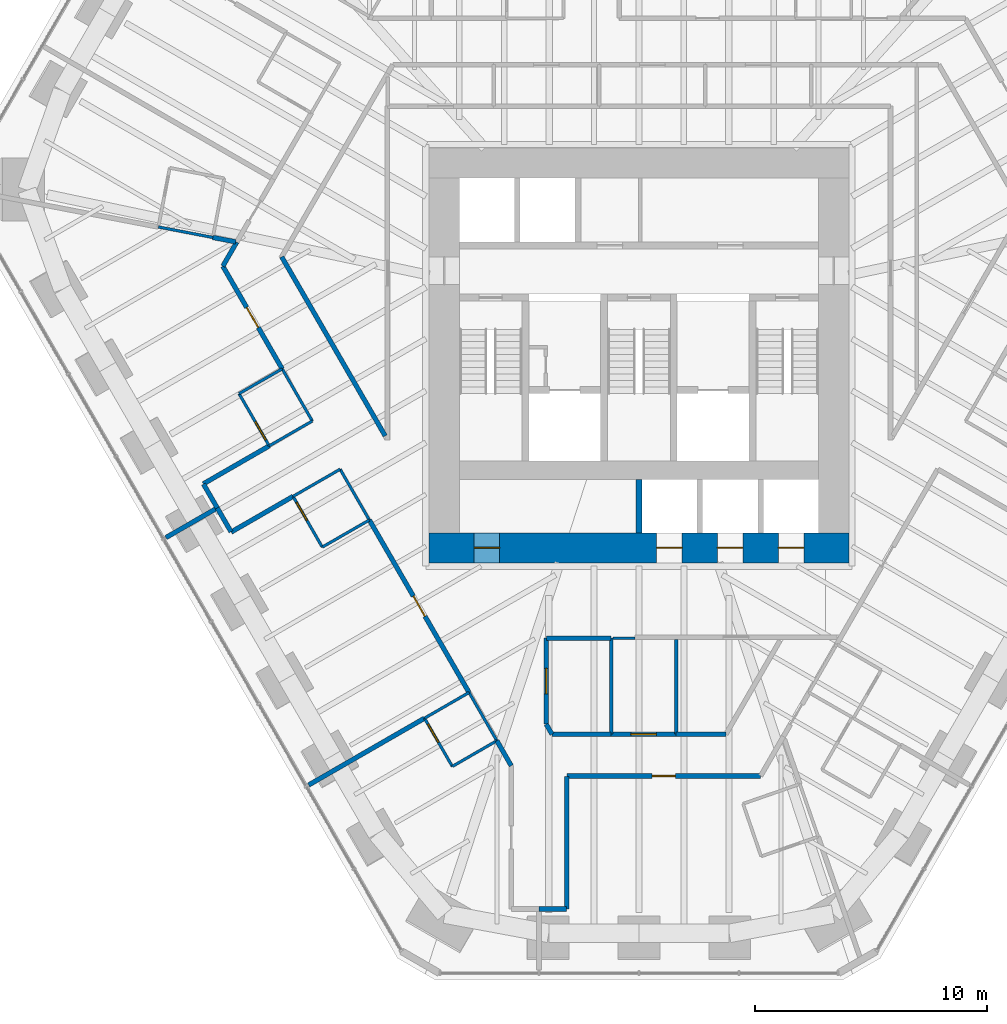
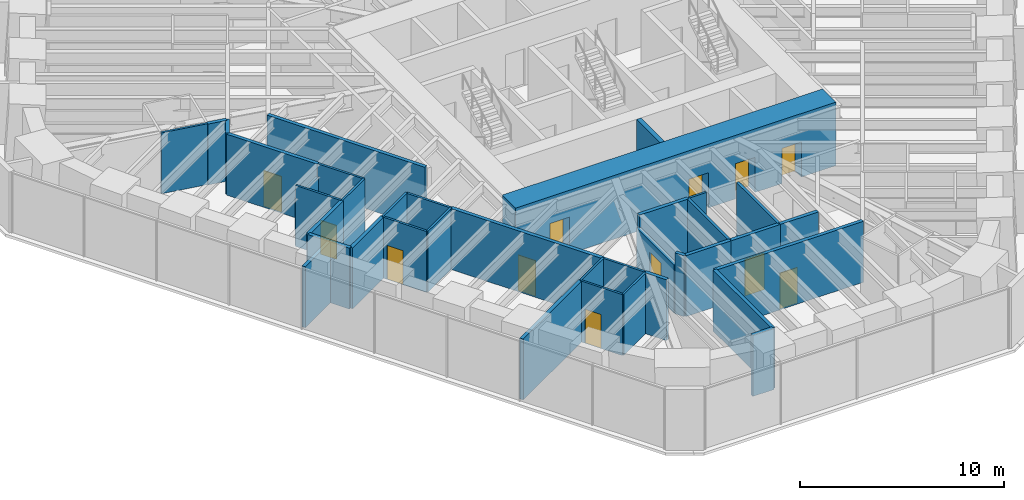
# One storey, part 11 of 18: 39 walls, 12 doors, 12 openings.
"""IFC4 building model written with IfcOpenShell, lengths in metres."""

import ifcopenshell
import ifcopenshell.guid

model = None  # the IFC model being written
_history = None  # IfcOwnerHistory: only IFC2X3 demands one
_inside = {}  # id of a spatial element -> (the spatial element, [elements in it])
_under = {}  # id of a project, library or spatial element -> (it, [spatial elements below it])
_declared = {}  # id of a project -> (the project, [libraries it declares])
_typed = {}  # id of a type object -> (the type object, [elements of that type])
_made_of = {}  # id of a material, layer set ... -> (it, [elements and type objects made of it])


def new_model(schema):
    """Start an empty IFC model of exactly this schema.

    Asked for "IFC4X3", IfcOpenShell would pick the latest addendum, in which some entities
    have other attributes; the version numbers below select the first issue.
    IFC2X3 requires an IfcOwnerHistory on every rooted entity: one is made here for all.
    """
    global model, _history
    if schema == "IFC4X3":
        model = ifcopenshell.file(schema_version=(4, 3, 0, 0))
    else:
        model = ifcopenshell.file(schema=schema)
    _inside.clear()
    _under.clear()
    _declared.clear()
    _typed.clear()
    _made_of.clear()
    _history = None
    if model.schema == "IFC2X3":
        org = make("IfcOrganization", Name="unknown")
        user = make(
            "IfcPersonAndOrganization",
            ThePerson=make("IfcPerson", FamilyName="unknown"),
            TheOrganization=org,
        )
        app = make(
            "IfcApplication",
            ApplicationDeveloper=org,
            Version="unknown",
            ApplicationFullName="unknown",
            ApplicationIdentifier="unknown",
        )
        _history = make(
            "IfcOwnerHistory",
            OwningUser=user,
            OwningApplication=app,
            ChangeAction="ADDED",
            CreationDate=0,
        )
    return model


def make(cls, **values):
    """One entity of the class cls with the attributes given. An attribute that is None is left unset."""
    return model.create_entity(
        cls, **{name: value for name, value in values.items() if value is not None}
    )


def rooted(cls, **values):
    """An entity with a GlobalId (a new one), such as an element, a storey or a relation."""
    return make(cls, GlobalId=ifcopenshell.guid.new(), OwnerHistory=_history, **values)


def si_unit(unit_type, name, prefix=None):
    """IfcSIUnit, for example si_unit("LENGTHUNIT", "METRE", prefix="MILLI")."""
    return make("IfcSIUnit", UnitType=unit_type, Prefix=prefix, Name=name)


def assignment(units):
    """IfcUnitAssignment: the units of a project."""
    return None if units is None else make("IfcUnitAssignment", Units=units)


def point(xyz):
    """IfcCartesianPoint."""
    return None if xyz is None else make("IfcCartesianPoint", Coordinates=xyz)


def direction(xyz):
    """IfcDirection."""
    return None if xyz is None else make("IfcDirection", DirectionRatios=xyz)


def frame(location, z_axis=None, x_axis=None):
    """IfcAxis2Placement3D, a coordinate frame: its origin and axes. An axis left out is left unset."""
    return make(
        "IfcAxis2Placement3D",
        Location=point(location),
        Axis=direction(z_axis),
        RefDirection=direction(x_axis),
    )


def frame_2d(location, x_axis=None):
    """IfcAxis2Placement2D, a coordinate frame in the plane: its origin and x axis."""
    return make(
        "IfcAxis2Placement2D", Location=point(location), RefDirection=direction(x_axis)
    )


def origin():
    """The frame at (0, 0, 0) with its axes left unset."""
    return frame((0.0, 0.0, 0.0))


def place(relative_to, where):
    """IfcLocalPlacement: puts the frame where relative to a parent placement (None: the world)."""
    return make(
        "IfcLocalPlacement", PlacementRelTo=relative_to, RelativePlacement=where
    )


def context(
    kind, dimensions, precision=None, world=None, true_north=None, identifier=None
):
    """IfcGeometricRepresentationContext, for example the 3D "Model" context."""
    return make(
        "IfcGeometricRepresentationContext",
        ContextIdentifier=identifier,
        ContextType=kind,
        CoordinateSpaceDimension=dimensions,
        Precision=precision,
        WorldCoordinateSystem=world,
        TrueNorth=true_north,
    )


def subcontext(parent, identifier, kind, view, scale=None):
    """IfcGeometricRepresentationSubContext, for example "Body" below "Model"."""
    return make(
        "IfcGeometricRepresentationSubContext",
        ContextIdentifier=identifier,
        ContextType=kind,
        ParentContext=parent,
        TargetScale=scale,
        TargetView=view,
    )


def project(units=None, contexts=None):
    """IfcProject with its units and contexts."""
    return rooted(
        "IfcProject",
        Name="project",
        RepresentationContexts=contexts,
        UnitsInContext=assignment(units),
    )


def spatial(cls, under=None, at=None, **own):
    """A site, building, storey or space (cls), placed at a placement, below another one or the project."""
    s = rooted(cls, ObjectPlacement=at, **own)
    if under is not None:
        _under.setdefault(under.id(), (under, []))[1].append(s)
    return s


def profile(cls, at=None, kind="AREA", **sizes):
    """A parametric profile (cls). Its sizes go by their IFC names, for example OverallWidth=200.0."""
    return make(cls, ProfileType=kind, Position=at, **sizes)


def rectangle(**sizes):
    """IfcRectangleProfileDef."""
    return profile("IfcRectangleProfileDef", **sizes)


def extrude(swept, where, along, depth):
    """IfcExtrudedAreaSolid: the profile swept, set in the frame where, extruded along a direction by depth."""
    return make(
        "IfcExtrudedAreaSolid",
        SweptArea=swept,
        Position=where,
        ExtrudedDirection=direction(along),
        Depth=depth,
    )


def shape(context_of_items, identifier, shape_type, items):
    """IfcShapeRepresentation: the items that make up one representation, for example the "Body"."""
    return make(
        "IfcShapeRepresentation",
        ContextOfItems=context_of_items,
        RepresentationIdentifier=identifier,
        RepresentationType=shape_type,
        Items=items,
    )


def material(Name=None, Category=None):
    """IfcMaterial."""
    return make("IfcMaterial", Name=Name, Category=Category)


def layer(
    of_material, thickness, ventilated=None, Name=None, Category=None, Priority=None
):
    """IfcMaterialLayer: one layer of a wall or slab, of a material (None: an air gap)."""
    return make(
        "IfcMaterialLayer",
        Material=of_material,
        LayerThickness=thickness,
        IsVentilated=ventilated,
        Name=Name,
        Category=Category,
        Priority=Priority,
    )


def layer_set(layers, Name=None):
    """IfcMaterialLayerSet."""
    return make("IfcMaterialLayerSet", MaterialLayers=layers, LayerSetName=Name)


def made_of(thing, what):
    """Note that an element or type object is made of a material, layer set ...; save() writes the relation."""
    if what is not None:
        _made_of.setdefault(what.id(), (what, []))[1].append(thing)
    return thing


def type_object(cls, material=None, **own):
    """A type object (cls), such as IfcWallType, which elements share."""
    return made_of(rooted(cls, **own), material)


def element(
    cls,
    number,
    at=None,
    inside=None,
    cuts=None,
    type_object=None,
    material=None,
    context=None,
    identifier="Body",
    shape_type=None,
    held_by="IfcProductDefinitionShape",
    body=None,
    shapes=None,
    **own,
):
    """One element of the class cls, such as IfcWall. Its Tag is "e" and its number.

    at: its placement. inside: the storey or other place that contains it. cuts: it is an
    opening in that element (IfcRelVoidsElement). A single representation is given by context,
    identifier, shape_type and body (its items); several are given by shapes. held_by: the class
    of the entity that holds the representations. save() writes the other relations.
    """
    e = rooted(cls, Tag="e%d" % number, ObjectPlacement=at, **own)
    if body is not None:
        shapes = [shape(context, identifier, shape_type, body)]
    if shapes is not None:
        e.Representation = make(held_by, Representations=shapes)
    if inside is not None:
        _inside.setdefault(inside.id(), (inside, []))[1].append(e)
    if cuts is not None:
        rooted(
            "IfcRelVoidsElement", RelatingBuildingElement=cuts, RelatedOpeningElement=e
        )
    if type_object is not None:
        _typed.setdefault(type_object.id(), (type_object, []))[1].append(e)
    return made_of(e, material)


def fill(opening, filler):
    """IfcRelFillsElement: the door or window that sits in an opening."""
    return rooted(
        "IfcRelFillsElement",
        RelatingOpeningElement=opening,
        RelatedBuildingElement=filler,
    )


def aggregate(whole, parts):
    """IfcRelAggregates: a whole, such as a stair, and the parts it consists of."""
    return rooted("IfcRelAggregates", RelatingObject=whole, RelatedObjects=parts)


def save(model, path):
    """Write the relations noted so far, then the file.

    IfcRelAggregates (storeys below a building ...), IfcRelContainedInSpatialStructure (elements
    in a storey), IfcRelDefinesByType, IfcRelAssociatesMaterial and IfcRelDeclares: one each for
    every whole, place, type object, material and project.
    """
    for whole, parts in _under.values():
        aggregate(whole, parts)
    for where, things in _inside.values():
        rooted(
            "IfcRelContainedInSpatialStructure",
            RelatedElements=things,
            RelatingStructure=where,
        )
    for kind, things in _typed.values():
        rooted("IfcRelDefinesByType", RelatedObjects=things, RelatingType=kind)
    for what, things in _made_of.values():
        rooted("IfcRelAssociatesMaterial", RelatedObjects=things, RelatingMaterial=what)
    for by, libraries in _declared.values():
        rooted("IfcRelDeclares", RelatingContext=by, RelatedDefinitions=libraries)
    model.write(path)


model = new_model("IFC4")

# Units and contexts
model_context = context("Model", 3, precision=1e-05, world=origin(), true_north=direction((0.0, 1.0)))
body_context = subcontext(model_context, "Body", "Model", "MODEL_VIEW")
ifc_project = project(units=[si_unit("LENGTHUNIT", "METRE"), si_unit("AREAUNIT", "SQUARE_METRE"), si_unit("VOLUMEUNIT", "CUBIC_METRE"), si_unit("PLANEANGLEUNIT", "RADIAN"), si_unit("MASSUNIT", "GRAM", prefix="KILO")], contexts=[model_context])

# Site, building, storey
site_placement = place(None, origin())
site = spatial("IfcSite", under=ifc_project, at=site_placement, CompositionType="ELEMENT")
building_placement = place(site_placement, origin())
building = spatial("IfcBuilding", under=site, at=building_placement, Name="Sandreach Pilgrim Tower", CompositionType="ELEMENT")
storey_placement = place(building_placement, frame((0.0, 0.0, 153.800048828125)))
storey = spatial("IfcBuildingStorey", under=building, at=storey_placement, Name="L38", CompositionType="ELEMENT", Elevation=153.800048828125)

# Walls
ifc_material_1 = material(Name="Gypsum board on steel studs", Category="steel")
ifc_layer_1 = layer(ifc_material_1, 0.14990234375)
ifc_layer_set_1 = layer_set([ifc_layer_1], Name="Back of house wall 150")
wall_type_1 = type_object("IfcWallType", Name="Back of house wall 150", PredefinedType="PARTITIONING", material=ifc_layer_set_1)
wall_1_placement = place(storey_placement, frame((-1.199951171875, -13.75, 0.0), z_axis=(0.0, 0.0, 1.0), x_axis=(0.0, -1.0, 0.0)))
element("IfcWall", 1, at=wall_1_placement, inside=storey, type_object=wall_type_1, Name="Back of house wall L38-078", PredefinedType="PARTITIONING", context=body_context, shape_type="SweptSolid", body=[
    extrude(rectangle(XDim=4.139892578125, YDim=0.14990234375, at=frame_2d((2.06982421875, 0.0))), origin(), (0.0, 0.0, 1.0), 3.639892578125),
])
wall_2_placement = place(storey_placement, frame((1.60009765625, -13.800048828125, 0.0), z_axis=(0.0, 0.0, 1.0), x_axis=(0.0, -1.0, 0.0)))
element("IfcWall", 2, at=wall_2_placement, inside=storey, type_object=wall_type_1, Name="Back of house wall L38-083", PredefinedType="PARTITIONING", context=body_context, shape_type="SweptSolid", body=[
    extrude(rectangle(XDim=4.08984375, YDim=0.14990234375, at=frame_2d((2.044921875, 0.0))), origin(), (0.0, 0.0, 1.0), 3.639892578125),
])
ifc_material_2 = material(Name="Moisture-resistant gypsum board on steel studs", Category="steel")
ifc_layer_2 = layer(ifc_material_2, 0.1201171875)
ifc_layer_set_2 = layer_set([ifc_layer_2], Name="Bathroom partition 120")
wall_type_2 = type_object("IfcWallType", Name="Bathroom partition 120", PredefinedType="PARTITIONING", material=ifc_layer_set_2)
wall_3_placement = place(storey_placement, frame((-20.72998046875, 3.989990234375, 0.0), z_axis=(0.0, 0.0, 1.0), x_axis=(0.982021000234, -0.188771701001, 0.0)))
element("IfcWall", 3, at=wall_3_placement, inside=storey, type_object=wall_type_2, Name="Bathroom partition L38-003", PredefinedType="PARTITIONING", context=body_context, shape_type="SweptSolid", body=[
    extrude(rectangle(XDim=2.392578125, YDim=0.1201171875, at=frame_2d((1.1962890625, 0.0))), origin(), (0.0, 0.0, 1.0), 3.639892578125),
])

# Wall, opening, door
wall_4_placement = place(storey_placement, frame((-17.25, -3.199951171875, 0.0), z_axis=(0.0, 0.0, 1.0), x_axis=(0.500291685314, -0.865856933682, 0.0)))
wall_4 = element("IfcWall", 4, at=wall_4_placement, inside=storey, type_object=wall_type_2, Name="Bathroom partition L38-021", PredefinedType="PARTITIONING", context=body_context, shape_type="SweptSolid", body=[
    extrude(rectangle(XDim=2.5986328125, YDim=0.1201171875, at=frame_2d((1.29931640625, 0.0))), origin(), (0.0, 0.0, 1.0), 3.639892578125),
])
opening_1_placement = place(wall_4_placement, frame((1.398681640625, 0.0, 0.0)))
opening_1 = element("IfcOpeningElement", 5, at=opening_1_placement, cuts=wall_4, Name="Opening D09-13B", PredefinedType="OPENING", context=body_context, shape_type="SweptSolid", body=[
    extrude(rectangle(XDim=0.89990234375, YDim=2.030029296875, at=frame_2d((0.449951171875, 1.01513671875))), frame((0.0, 0.06005859375, 0.0), z_axis=(0.0, -1.0, 0.0), x_axis=(1.0, 0.0, 0.0)), (0.0, 0.0, 1.0), 0.1201171875),
])
ifc_material_3 = material(Name="Timber door, steel frame", Category="steel")
door_type_1 = type_object("IfcDoorType", Name="Bathroom door", OperationType="SINGLE_SWING_LEFT", PredefinedType="DOOR", material=ifc_material_3)
door_1_placement = place(opening_1_placement, origin())
door_1 = element("IfcDoor", 6, at=door_1_placement, inside=storey, type_object=door_type_1, Name="Door 3813B", OperationType="SINGLE_SWING_RIGHT", OverallHeight=2.030029296875, OverallWidth=0.89990234375, PredefinedType="DOOR", context=body_context, shape_type="SweptSolid", body=[
    extrude(rectangle(XDim=0.89990234375, YDim=2.030029296875, at=frame_2d((0.449951171875, 1.01513671875))), frame((0.0, 0.02490234375, 0.0), z_axis=(0.0, -1.0, 0.0), x_axis=(1.0, 0.0, 0.0)), (0.0, 0.0, 1.0), 0.050048828125),
])
fill(opening_1, door_1)

# Walls
wall_5_placement = place(storey_placement, frame((-15.948974609375, -5.451904296875, 0.0), z_axis=(0.0, 0.0, 1.0), x_axis=(0.866318151138, 0.499492603558, 0.0)))
element("IfcWall", 7, at=wall_5_placement, inside=storey, type_object=wall_type_2, Name="Bathroom partition L38-023", PredefinedType="PARTITIONING", context=body_context, shape_type="SweptSolid", body=[
    extrude(rectangle(XDim=2.145751953125, YDim=0.1201171875, at=frame_2d((1.07275390625, 0.0))), origin(), (0.0, 0.0, 1.0), 3.639892578125),
])
wall_6_placement = place(storey_placement, frame((-15.389892578125, -2.1298828125, 0.0), z_axis=(0.0, 0.0, 1.0), x_axis=(-0.866804272416, -0.498648526841, 0.0)))
element("IfcWall", 8, at=wall_6_placement, inside=storey, type_object=wall_type_2, Name="Bathroom partition L38-026", PredefinedType="PARTITIONING", context=body_context, shape_type="SweptSolid", body=[
    extrude(rectangle(XDim=2.14599609375, YDim=0.1201171875, at=frame_2d((1.072998046875, 0.0))), origin(), (0.0, 0.0, 1.0), 2.8779296875),
])
wall_7_placement = place(storey_placement, frame((-15.389892578125, -2.1298828125, 0.0), z_axis=(0.0, 0.0, 1.0), x_axis=(0.500180550803, -0.865921137632, 0.0)))
element("IfcWall", 9, at=wall_7_placement, inside=storey, type_object=wall_type_2, Name="Bathroom partition L38-027", PredefinedType="PARTITIONING", context=body_context, shape_type="SweptSolid", body=[
    extrude(rectangle(XDim=2.5986328125, YDim=0.1201171875, at=frame_2d((1.29931640625, 0.0))), origin(), (0.0, 0.0, 1.0), 3.639892578125),
])

# Wall, opening, door
wall_8_placement = place(storey_placement, frame((-14.919921875, -7.6298828125, 0.0), z_axis=(0.0, 0.0, 1.0), x_axis=(0.498665353881, -0.866794592068, 0.0)))
wall_8 = element("IfcWall", 10, at=wall_8_placement, inside=storey, type_object=wall_type_2, Name="Bathroom partition L38-030", PredefinedType="PARTITIONING", context=body_context, shape_type="SweptSolid", body=[
    extrude(rectangle(XDim=2.52685546875, YDim=0.1201171875, at=frame_2d((1.263427734375, 0.0))), origin(), (0.0, 0.0, 1.0), 3.639892578125),
])
opening_2_placement = place(wall_8_placement, frame((0.300048828125, 0.0, 0.0)))
opening_2 = element("IfcOpeningElement", 11, at=opening_2_placement, cuts=wall_8, Name="Opening D09-12B", PredefinedType="OPENING", context=body_context, shape_type="SweptSolid", body=[
    extrude(rectangle(XDim=0.89990234375, YDim=2.030029296875, at=frame_2d((0.449951171875, 1.01513671875))), frame((0.0, 0.06005859375, 0.0), z_axis=(0.0, -1.0, 0.0), x_axis=(1.0, 0.0, 0.0)), (0.0, 0.0, 1.0), 0.1201171875),
])
door_2_placement = place(opening_2_placement, origin())
door_2 = element("IfcDoor", 12, at=door_2_placement, inside=storey, type_object=door_type_1, Name="Door 3812B", OperationType="SINGLE_SWING_LEFT", OverallHeight=2.030029296875, OverallWidth=0.89990234375, PredefinedType="DOOR", context=body_context, shape_type="SweptSolid", body=[
    extrude(rectangle(XDim=0.89990234375, YDim=2.030029296875, at=frame_2d((0.449951171875, 1.01513671875))), frame((0.0, 0.02490234375, 0.0), z_axis=(0.0, -1.0, 0.0), x_axis=(1.0, 0.0, 0.0)), (0.0, 0.0, 1.0), 0.050048828125),
])
fill(opening_2, door_2)

# Walls
wall_9_placement = place(storey_placement, frame((-14.919921875, -7.6298828125, 0.0), z_axis=(0.0, 0.0, 1.0), x_axis=(0.866390229467, 0.499367570316, 0.0)))
element("IfcWall", 13, at=wall_9_placement, inside=storey, type_object=wall_type_2, Name="Bathroom partition L38-031", PredefinedType="PARTITIONING", context=body_context, shape_type="SweptSolid", body=[
    extrude(rectangle(XDim=2.3427734375, YDim=0.1201171875, at=frame_2d((1.17138671875, 0.0))), origin(), (0.0, 0.0, 1.0), 3.639892578125),
])
wall_10_placement = place(storey_placement, frame((-13.659912109375, -9.820068359375, 0.0), z_axis=(0.0, 0.0, 1.0), x_axis=(0.866345142729, 0.499445786517, 0.0)))
element("IfcWall", 14, at=wall_10_placement, inside=storey, type_object=wall_type_2, Name="Bathroom partition L38-035", PredefinedType="PARTITIONING", context=body_context, shape_type="SweptSolid", body=[
    extrude(rectangle(XDim=2.343017578125, YDim=0.1201171875, at=frame_2d((1.17138671875, 0.0))), origin(), (0.0, 0.0, 1.0), 3.639892578125),
])
wall_11_placement = place(storey_placement, frame((-12.889892578125, -6.4599609375, 0.0), z_axis=(0.0, 0.0, 1.0), x_axis=(0.498707120669, -0.866770562372, 0.0)))
element("IfcWall", 15, at=wall_11_placement, inside=storey, type_object=wall_type_2, Name="Bathroom partition L38-036", PredefinedType="PARTITIONING", context=body_context, shape_type="SweptSolid", body=[
    extrude(rectangle(XDim=2.526611328125, YDim=0.1201171875, at=frame_2d((1.26318359375, 0.0))), origin(), (0.0, 0.0, 1.0), 3.639892578125),
])

# Wall, opening, door
wall_12_placement = place(storey_placement, frame((-9.25, -17.199951171875, 0.0), z_axis=(0.0, 0.0, 1.0), x_axis=(0.499693115345, -0.866202511239, 0.0)))
wall_12 = element("IfcWall", 16, at=wall_12_placement, inside=storey, type_object=wall_type_2, Name="Bathroom partition L38-047", PredefinedType="PARTITIONING", context=body_context, shape_type="SweptSolid", body=[
    extrude(rectangle(XDim=2.4013671875, YDim=0.1201171875, at=frame_2d((1.20068359375, 0.0))), origin(), (0.0, 0.0, 1.0), 3.639892578125),
])
opening_3_placement = place(wall_12_placement, frame((0.300048828125, 0.0, 0.0)))
opening_3 = element("IfcOpeningElement", 17, at=opening_3_placement, cuts=wall_12, Name="Opening D09-11B", PredefinedType="OPENING", context=body_context, shape_type="SweptSolid", body=[
    extrude(rectangle(XDim=0.89990234375, YDim=2.030029296875, at=frame_2d((0.449951171875, 1.01513671875))), frame((0.0, 0.06005859375, 0.0), z_axis=(0.0, -1.0, 0.0), x_axis=(1.0, 0.0, 0.0)), (0.0, 0.0, 1.0), 0.1201171875),
])
door_3_placement = place(opening_3_placement, origin())
door_3 = element("IfcDoor", 18, at=door_3_placement, inside=storey, type_object=door_type_1, Name="Door 3811B", OperationType="SINGLE_SWING_LEFT", OverallHeight=2.030029296875, OverallWidth=0.89990234375, PredefinedType="DOOR", context=body_context, shape_type="SweptSolid", body=[
    extrude(rectangle(XDim=0.89990234375, YDim=2.030029296875, at=frame_2d((0.449951171875, 1.01513671875))), frame((0.0, 0.02490234375, 0.0), z_axis=(0.0, -1.0, 0.0), x_axis=(1.0, 0.0, 0.0)), (0.0, 0.0, 1.0), 0.050048828125),
])
fill(opening_3, door_3)

# Walls
wall_13_placement = place(storey_placement, frame((-9.25, -17.199951171875, 0.0), z_axis=(0.0, 0.0, 1.0), x_axis=(0.86575271903, 0.500472006703, 0.0)))
element("IfcWall", 19, at=wall_13_placement, inside=storey, type_object=wall_type_2, Name="Bathroom partition L38-048", PredefinedType="PARTITIONING", context=body_context, shape_type="SweptSolid", body=[
    extrude(rectangle(XDim=2.217529296875, YDim=0.1201171875, at=frame_2d((1.10888671875, 0.0))), origin(), (0.0, 0.0, 1.0), 3.639892578125),
])
wall_14_placement = place(storey_placement, frame((-8.050048828125, -19.280029296875, 0.0), z_axis=(0.0, 0.0, 1.0), x_axis=(0.865732595383, 0.500506816428, 0.0)))
element("IfcWall", 20, at=wall_14_placement, inside=storey, type_object=wall_type_2, Name="Bathroom partition L38-051", PredefinedType="PARTITIONING", context=body_context, shape_type="SweptSolid", body=[
    extrude(rectangle(XDim=2.218017578125, YDim=0.1201171875, at=frame_2d((1.10888671875, 0.0))), origin(), (0.0, 0.0, 1.0), 3.639892578125),
])
wall_15_placement = place(storey_placement, frame((-7.330078125, -16.090087890625, 0.0), z_axis=(0.0, 0.0, 1.0), x_axis=(0.499737123639, -0.866177122335, 0.0)))
element("IfcWall", 21, at=wall_15_placement, inside=storey, type_object=wall_type_2, Name="Bathroom partition L38-052", PredefinedType="PARTITIONING", context=body_context, shape_type="SweptSolid", body=[
    extrude(rectangle(XDim=2.401123046875, YDim=0.1201171875, at=frame_2d((1.20068359375, 0.0))), origin(), (0.0, 0.0, 1.0), 3.639892578125),
])
wall_16_placement = place(storey_placement, frame((-1.125, -13.75, 0.0), z_axis=(0.0, 0.0, 1.0), x_axis=(1.0, 0.0, 0.0)))
element("IfcWall", 22, at=wall_16_placement, inside=storey, type_object=wall_type_2, Name="Bathroom partition L38-079", PredefinedType="PARTITIONING", context=body_context, shape_type="SweptSolid", body=[
    extrude(rectangle(XDim=0.955078125, YDim=0.1201171875, at=frame_2d((0.4775390625, 0.0))), origin(), (0.0, 0.0, 1.0), 3.639892578125),
])

# Wall, openings, doors
ifc_material_4 = material(Name="Concrete 10000 psi", Category="concrete")
ifc_layer_3 = layer(ifc_material_4, 1.300048828125)
ifc_layer_set_3 = layer_set([ifc_layer_3], Name="Core wall 1300")
wall_type_3 = type_object("IfcWallType", Name="Core wall 1300", PredefinedType="SHEAR", material=ifc_layer_set_3)
wall_17_placement = place(storey_placement, frame((-9.050048828125, -9.85009765625, 0.0), z_axis=(0.0, 0.0, 1.0), x_axis=(1.0, 0.0, 0.0)))
wall_17 = element("IfcWall", 23, at=wall_17_placement, inside=storey, type_object=wall_type_3, Name="Core wall S L38", PredefinedType="SHEAR", context=body_context, shape_type="SweptSolid", body=[
    extrude(rectangle(XDim=18.10009765625, YDim=1.300048828125, at=frame_2d((9.050048828125, 0.0))), origin(), (0.0, 0.0, 1.0), 3.800048828125),
])
opening_4_placement = place(wall_17_placement, frame((1.9375, 0.0, 0.0)))
opening_4 = element("IfcOpeningElement", 24, at=opening_4_placement, cuts=wall_17, Name="Opening D11H", PredefinedType="OPENING", context=body_context, shape_type="SweptSolid", body=[
    extrude(rectangle(XDim=1.10009765625, YDim=2.199951171875, at=frame_2d((0.550048828125, 1.10009765625))), frame((0.0, 0.64990234375, 0.0), z_axis=(0.0, -1.0, 0.0), x_axis=(1.0, 0.0, 0.0)), (0.0, 0.0, 1.0), 1.300048828125),
])
opening_5_placement = place(wall_17_placement, frame((9.8125, 0.0, 0.0)))
opening_5 = element("IfcOpeningElement", 25, at=opening_5_placement, cuts=wall_17, Name="Opening LD11", PredefinedType="OPENING", context=body_context, shape_type="SweptSolid", body=[
    extrude(rectangle(XDim=1.10009765625, YDim=2.10009765625, at=frame_2d((0.550048828125, 1.050048828125))), frame((0.0, 0.64990234375, 0.0), z_axis=(0.0, -1.0, 0.0), x_axis=(1.0, 0.0, 0.0)), (0.0, 0.0, 1.0), 1.300048828125),
])
opening_6_placement = place(wall_17_placement, frame((12.4375, 0.0, 0.0)))
opening_6 = element("IfcOpeningElement", 26, at=opening_6_placement, cuts=wall_17, Name="Opening LD11", PredefinedType="OPENING", context=body_context, shape_type="SweptSolid", body=[
    extrude(rectangle(XDim=1.10009765625, YDim=2.10009765625, at=frame_2d((0.550048828125, 1.050048828125))), frame((0.0, 0.64990234375, 0.0), z_axis=(0.0, -1.0, 0.0), x_axis=(1.0, 0.0, 0.0)), (0.0, 0.0, 1.0), 1.300048828125),
])
opening_7_placement = place(wall_17_placement, frame((15.0625, 0.0, 0.0)))
opening_7 = element("IfcOpeningElement", 27, at=opening_7_placement, cuts=wall_17, Name="Opening LD11", PredefinedType="OPENING", context=body_context, shape_type="SweptSolid", body=[
    extrude(rectangle(XDim=1.10009765625, YDim=2.10009765625, at=frame_2d((0.550048828125, 1.050048828125))), frame((0.0, 0.64990234375, 0.0), z_axis=(0.0, -1.0, 0.0), x_axis=(1.0, 0.0, 0.0)), (0.0, 0.0, 1.0), 1.300048828125),
])
ifc_material_5 = material(Name="Steel door and frame", Category="steel")
door_type_2 = type_object("IfcDoorType", Name="Back of house door", OperationType="SINGLE_SWING_LEFT", PredefinedType="DOOR", material=ifc_material_5)
door_4_placement = place(opening_4_placement, origin())
door_4 = element("IfcDoor", 28, at=door_4_placement, inside=storey, type_object=door_type_2, Name="Door staff room 38K3", OperationType="SINGLE_SWING_LEFT", OverallHeight=2.199951171875, OverallWidth=1.10009765625, PredefinedType="DOOR", context=body_context, shape_type="SweptSolid", body=[
    extrude(rectangle(XDim=1.10009765625, YDim=2.199951171875, at=frame_2d((0.550048828125, 1.10009765625))), frame((0.0, 0.02490234375, 0.0), z_axis=(0.0, -1.0, 0.0), x_axis=(1.0, 0.0, 0.0)), (0.0, 0.0, 1.0), 0.050048828125),
])
fill(opening_4, door_4)
ifc_material_6 = material(Name="Steel door and frame", Category="steel")
door_type_3 = type_object("IfcDoorType", Name="Lift landing door", OperationType="DOUBLE_DOOR_SLIDING", PredefinedType="DOOR", material=ifc_material_6)
door_5_placement = place(opening_5_placement, origin())
door_5 = element("IfcDoor", 29, at=door_5_placement, inside=storey, type_object=door_type_3, Name="Lift landing door Z2A L38", OperationType="DOUBLE_DOOR_SLIDING", OverallHeight=2.10009765625, OverallWidth=1.10009765625, PredefinedType="DOOR", context=body_context, shape_type="SweptSolid", body=[
    extrude(rectangle(XDim=1.10009765625, YDim=2.10009765625, at=frame_2d((0.550048828125, 1.050048828125))), frame((0.0, 0.02490234375, 0.0), z_axis=(0.0, -1.0, 0.0), x_axis=(1.0, 0.0, 0.0)), (0.0, 0.0, 1.0), 0.050048828125),
])
fill(opening_5, door_5)
door_6_placement = place(opening_6_placement, origin())
door_6 = element("IfcDoor", 30, at=door_6_placement, inside=storey, type_object=door_type_3, Name="Lift landing door Z2B L38", OperationType="DOUBLE_DOOR_SLIDING", OverallHeight=2.10009765625, OverallWidth=1.10009765625, PredefinedType="DOOR", context=body_context, shape_type="SweptSolid", body=[
    extrude(rectangle(XDim=1.10009765625, YDim=2.10009765625, at=frame_2d((0.550048828125, 1.050048828125))), frame((0.0, 0.02490234375, 0.0), z_axis=(0.0, -1.0, 0.0), x_axis=(1.0, 0.0, 0.0)), (0.0, 0.0, 1.0), 0.050048828125),
])
fill(opening_6, door_6)
door_7_placement = place(opening_7_placement, origin())
door_7 = element("IfcDoor", 31, at=door_7_placement, inside=storey, type_object=door_type_3, Name="Lift landing door Z2C L38", OperationType="DOUBLE_DOOR_SLIDING", OverallHeight=2.10009765625, OverallWidth=1.10009765625, PredefinedType="DOOR", context=body_context, shape_type="SweptSolid", body=[
    extrude(rectangle(XDim=1.10009765625, YDim=2.10009765625, at=frame_2d((0.550048828125, 1.050048828125))), frame((0.0, 0.02490234375, 0.0), z_axis=(0.0, -1.0, 0.0), x_axis=(1.0, 0.0, 0.0)), (0.0, 0.0, 1.0), 0.050048828125),
])
fill(opening_7, door_7)

# Walls
ifc_material_7 = material(Name="Gypsum board on steel studs, two layers each side", Category="steel")
ifc_layer_4 = layer(ifc_material_7, 0.199951171875)
ifc_layer_set_4 = layer_set([ifc_layer_4], Name="Corridor wall 200")
wall_type_4 = type_object("IfcWallType", Name="Corridor wall 200", PredefinedType="PARTITIONING", material=ifc_layer_set_4)
wall_18_placement = place(storey_placement, frame((-18.7900390625, -7.090087890625, 0.0), z_axis=(0.0, 0.0, 1.0), x_axis=(0.866303300645, 0.499518359313, 0.0)))
element("IfcWall", 32, at=wall_18_placement, inside=storey, type_object=wall_type_4, Name="Corridor wall L38-011", PredefinedType="PARTITIONING", context=body_context, shape_type="SweptSolid", body=[
    extrude(rectangle(XDim=3.279541015625, YDim=0.199951171875, at=frame_2d((1.6396484375, 0.0))), origin(), (0.0, 0.0, 1.0), 3.639892578125),
])
for number, where, z_axis, x_axis, name in (
    (33, (-18.782470703125, -7.10302734375, 0.0), (0.0, 0.0, 1.0), (0.499704629046, -0.866195869137, 0.0), "Corridor wall L38-012"),
    (34, (-18.18994140625, -8.1298828125, 0.0), (0.0, 0.0, 1.0), (0.499704629046, -0.866195869137, 0.0), "Corridor wall L38-015"),
):
    element("IfcWall", number, at=place(storey_placement, frame(where, z_axis=z_axis, x_axis=x_axis)), inside=storey, type_object=wall_type_4, Name=name, PredefinedType="PARTITIONING", context=body_context, shape_type="SweptSolid", body=[
        extrude(rectangle(XDim=1.185791015625, YDim=0.199951171875, at=frame_2d((0.5927734375, 0.0))), origin(), (0.0, 0.0, 1.0), 3.639892578125),
    ])
wall_19_placement = place(storey_placement, frame((-17.949951171875, 2.300048828125, 0.0), z_axis=(0.0, 0.0, 1.0), x_axis=(0.500795801589, 0.865565459749, 0.0)))
element("IfcWall", 35, at=wall_19_placement, inside=storey, type_object=wall_type_4, Name="Corridor wall L38-016", PredefinedType="PARTITIONING", context=body_context, shape_type="SweptSolid", body=[
    extrude(rectangle(XDim=1.20068359375, YDim=0.199951171875, at=frame_2d((0.600341796875, 0.0))), origin(), (0.0, 0.0, 1.0), 3.639892578125),
])

# Wall, opening, door
wall_20_placement = place(storey_placement, frame((-17.949951171875, 2.300048828125, 0.0), z_axis=(0.0, 0.0, 1.0), x_axis=(0.500336423072, -0.865831082687, 0.0)))
wall_20 = element("IfcWall", 36, at=wall_20_placement, inside=storey, type_object=wall_type_4, Name="Corridor wall L38-017", PredefinedType="PARTITIONING", context=body_context, shape_type="SweptSolid", body=[
    extrude(rectangle(XDim=5.11669921875, YDim=0.199951171875, at=frame_2d((2.558349609375, 0.0))), origin(), (0.0, 0.0, 1.0), 3.639892578125),
])
opening_8_placement = place(wall_20_placement, frame((2.058349609375, 0.0, 0.0)))
opening_8 = element("IfcOpeningElement", 37, at=opening_8_placement, cuts=wall_20, Name="Opening D10-13", PredefinedType="OPENING", context=body_context, shape_type="SweptSolid", body=[
    extrude(rectangle(XDim=1.0, YDim=2.1298828125, at=frame_2d((0.5, 1.06494140625))), frame((0.0, 0.10009765625, 0.0), z_axis=(0.0, -1.0, 0.0), x_axis=(1.0, 0.0, 0.0)), (0.0, 0.0, 1.0), 0.199951171875),
])
ifc_material_8 = material(Name="Steel door and frame", Category="steel")
door_type_4 = type_object("IfcDoorType", Name="Guest room entry door", OperationType="SINGLE_SWING_LEFT", PredefinedType="DOOR", material=ifc_material_8)
door_8_placement = place(opening_8_placement, origin())
door_8 = element("IfcDoor", 38, at=door_8_placement, inside=storey, type_object=door_type_4, Name="Door 3813", OperationType="SINGLE_SWING_LEFT", OverallHeight=2.1298828125, OverallWidth=1.0, PredefinedType="DOOR", context=body_context, shape_type="SweptSolid", body=[
    extrude(rectangle(XDim=1.0, YDim=2.1298828125, at=frame_2d((0.5, 1.06494140625))), frame((0.0, 0.02490234375, 0.0), z_axis=(0.0, -1.0, 0.0), x_axis=(1.0, 0.0, 0.0)), (0.0, 0.0, 1.0), 0.050048828125),
])
fill(opening_8, door_8)

# Wall
wall_21_placement = place(storey_placement, frame((-17.590087890625, -9.169921875, 0.0), z_axis=(0.0, 0.0, 1.0), x_axis=(0.866247553189, 0.499615028391, 0.0)))
element("IfcWall", 39, at=wall_21_placement, inside=storey, type_object=wall_type_4, Name="Corridor wall L38-019", PredefinedType="PARTITIONING", context=body_context, shape_type="SweptSolid", body=[
    extrude(rectangle(XDim=3.08251953125, YDim=0.199951171875, at=frame_2d((1.541259765625, 0.0))), origin(), (0.0, 0.0, 1.0), 3.639892578125),
])

# Wall, opening, door
wall_22_placement = place(storey_placement, frame((-11.6298828125, -8.64990234375, 0.0), z_axis=(0.0, 0.0, 1.0), x_axis=(0.500367528775, -0.865813106939, 0.0)))
wall_22 = element("IfcWall", 40, at=wall_22_placement, inside=storey, type_object=wall_type_4, Name="Corridor wall L38-038", PredefinedType="PARTITIONING", context=body_context, shape_type="SweptSolid", body=[
    extrude(rectangle(XDim=8.59326171875, YDim=0.199951171875, at=frame_2d((4.296630859375, 0.0))), origin(), (0.0, 0.0, 1.0), 3.639892578125),
])
opening_9_placement = place(wall_22_placement, frame((3.796630859375, 0.0, 0.0)))
opening_9 = element("IfcOpeningElement", 41, at=opening_9_placement, cuts=wall_22, Name="Opening D10-12", PredefinedType="OPENING", context=body_context, shape_type="SweptSolid", body=[
    extrude(rectangle(XDim=1.0, YDim=2.1298828125, at=frame_2d((0.5, 1.06494140625))), frame((0.0, 0.10009765625, 0.0), z_axis=(0.0, -1.0, 0.0), x_axis=(1.0, 0.0, 0.0)), (0.0, 0.0, 1.0), 0.199951171875),
])
door_9_placement = place(opening_9_placement, origin())
door_9 = element("IfcDoor", 42, at=door_9_placement, inside=storey, type_object=door_type_4, Name="Door 3812", OperationType="SINGLE_SWING_LEFT", OverallHeight=2.1298828125, OverallWidth=1.0, PredefinedType="DOOR", context=body_context, shape_type="SweptSolid", body=[
    extrude(rectangle(XDim=1.0, YDim=2.1298828125, at=frame_2d((0.5, 1.06494140625))), frame((0.0, 0.02490234375, 0.0), z_axis=(0.0, -1.0, 0.0), x_axis=(1.0, 0.0, 0.0)), (0.0, 0.0, 1.0), 0.050048828125),
])
fill(opening_9, door_9)

# Walls
wall_23_placement = place(storey_placement, frame((-10.947509765625, -5.021240234375, 0.0), z_axis=(0.0, 0.0, 1.0), x_axis=(-0.500384322182, 0.865803401538, 0.0)))
element("IfcWall", 43, at=wall_23_placement, inside=storey, type_object=wall_type_4, Name="Corridor wall L38-041", PredefinedType="PARTITIONING", context=body_context, shape_type="SweptSolid", body=[
    extrude(rectangle(XDim=8.91796875, YDim=0.199951171875, at=frame_2d((4.458984375, 0.0))), origin(), (0.0, 0.0, 1.0), 3.639892578125),
])
wall_24_placement = place(storey_placement, frame((-6.1298828125, -18.169921875, 0.0), z_axis=(0.0, 0.0, 1.0), x_axis=(0.497763752085, -0.867312658221, 0.0)))
element("IfcWall", 44, at=wall_24_placement, inside=storey, type_object=wall_type_4, Name="Corridor wall L38-056", PredefinedType="PARTITIONING", context=body_context, shape_type="SweptSolid", body=[
    extrude(rectangle(XDim=1.245361328125, YDim=0.199951171875, at=frame_2d((0.62255859375, 0.0))), origin(), (0.0, 0.0, 1.0), 3.639892578125),
])
wall_25_placement = place(storey_placement, frame((-4.31005859375, -25.429931640625, 0.0), z_axis=(0.0, 0.0, 1.0), x_axis=(1.0, 0.0, 0.0)))
element("IfcWall", 45, at=wall_25_placement, inside=storey, type_object=wall_type_4, Name="Corridor wall L38-062", PredefinedType="PARTITIONING", context=body_context, shape_type="SweptSolid", body=[
    extrude(rectangle(XDim=1.18505859375, YDim=0.199951171875, at=frame_2d((0.592529296875, 0.0))), origin(), (0.0, 0.0, 1.0), 3.639892578125),
])

# Wall, opening, door
wall_26_placement = place(storey_placement, frame((-4.0, -17.4599609375, 0.0), z_axis=(0.0, 0.0, 1.0), x_axis=(0.0, 1.0, 0.0)))
wall_26 = element("IfcWall", 46, at=wall_26_placement, inside=storey, type_object=wall_type_4, Name="Corridor wall L38-063", PredefinedType="PARTITIONING", context=body_context, shape_type="SweptSolid", body=[
    extrude(rectangle(XDim=3.7099609375, YDim=0.199951171875, at=frame_2d((1.85498046875, 0.0))), origin(), (0.0, 0.0, 1.0), 2.8779296875),
])
opening_10_placement = place(wall_26_placement, frame((1.304931640625, 0.0, 0.0)))
opening_10 = element("IfcOpeningElement", 47, at=opening_10_placement, cuts=wall_26, Name="Opening D11H-S2", PredefinedType="OPENING", context=body_context, shape_type="SweptSolid", body=[
    extrude(rectangle(XDim=1.10009765625, YDim=2.199951171875, at=frame_2d((0.550048828125, 1.10009765625))), frame((0.0, 0.10009765625, 0.0), z_axis=(0.0, -1.0, 0.0), x_axis=(1.0, 0.0, 0.0)), (0.0, 0.0, 1.0), 0.199951171875),
])
door_10_placement = place(opening_10_placement, origin())
door_10 = element("IfcDoor", 48, at=door_10_placement, inside=storey, type_object=door_type_2, Name="Door 38S2", OperationType="SINGLE_SWING_LEFT", OverallHeight=2.199951171875, OverallWidth=1.10009765625, PredefinedType="DOOR", context=body_context, shape_type="SweptSolid", body=[
    extrude(rectangle(XDim=1.10009765625, YDim=2.199951171875, at=frame_2d((0.550048828125, 1.10009765625))), frame((0.0, 0.02490234375, 0.0), z_axis=(0.0, -1.0, 0.0), x_axis=(1.0, 0.0, 0.0)), (0.0, 0.0, 1.0), 0.050048828125),
])
fill(opening_10, door_10)

# Walls
wall_27_placement = place(storey_placement, frame((-3.989990234375, -13.75, 0.0), z_axis=(0.0, 0.0, 1.0), x_axis=(1.0, 0.0, 0.0)))
element("IfcWall", 49, at=wall_27_placement, inside=storey, type_object=wall_type_4, Name="Corridor wall L38-064", PredefinedType="PARTITIONING", context=body_context, shape_type="SweptSolid", body=[
    extrude(rectangle(XDim=2.7900390625, YDim=0.199951171875, at=frame_2d((1.39501953125, 0.0))), origin(), (0.0, 0.0, 1.0), 3.639892578125),
])
wall_28_placement = place(storey_placement, frame((-3.75, -17.889892578125, 0.0), z_axis=(0.0, 0.0, 1.0), x_axis=(-0.502680181512, 0.864472460588, 0.0)))
element("IfcWall", 50, at=wall_28_placement, inside=storey, type_object=wall_type_4, Name="Corridor wall L38-065", PredefinedType="PARTITIONING", context=body_context, shape_type="SweptSolid", body=[
    extrude(rectangle(XDim=0.497314453125, YDim=0.199951171875, at=frame_2d((0.24853515625, 0.0))), origin(), (0.0, 0.0, 1.0), 3.639892578125),
])
wall_29_placement = place(storey_placement, frame((-3.110107421875, -25.429931640625, 0.0), z_axis=(0.0, 0.0, 1.0), x_axis=(0.0, 1.0, 0.0)))
element("IfcWall", 51, at=wall_29_placement, inside=storey, type_object=wall_type_4, Name="Corridor wall L38-070", PredefinedType="PARTITIONING", context=body_context, shape_type="SweptSolid", body=[
    extrude(rectangle(XDim=5.724853515625, YDim=0.199951171875, at=frame_2d((2.8623046875, 0.0))), origin(), (0.0, 0.0, 1.0), 3.639892578125),
])

# Wall, opening, door
wall_30_placement = place(storey_placement, frame((-3.110107421875, -19.68994140625, 0.0), z_axis=(0.0, 0.0, 1.0), x_axis=(1.0, 0.0, 0.0)))
wall_30 = element("IfcWall", 52, at=wall_30_placement, inside=storey, type_object=wall_type_4, Name="Corridor wall L38-071", PredefinedType="PARTITIONING", context=body_context, shape_type="SweptSolid", body=[
    extrude(rectangle(XDim=8.360107421875, YDim=0.199951171875, at=frame_2d((4.18017578125, 0.0))), origin(), (0.0, 0.0, 1.0), 3.639892578125),
])
opening_11_placement = place(wall_30_placement, frame((3.679931640625, 0.0, 0.0)))
opening_11 = element("IfcOpeningElement", 53, at=opening_11_placement, cuts=wall_30, Name="Opening D10-10", PredefinedType="OPENING", context=body_context, shape_type="SweptSolid", body=[
    extrude(rectangle(XDim=1.0, YDim=2.1298828125, at=frame_2d((0.5, 1.06494140625))), frame((0.0, 0.10009765625, 0.0), z_axis=(0.0, -1.0, 0.0), x_axis=(1.0, 0.0, 0.0)), (0.0, 0.0, 1.0), 0.199951171875),
])
door_11_placement = place(opening_11_placement, origin())
door_11 = element("IfcDoor", 54, at=door_11_placement, inside=storey, type_object=door_type_4, Name="Door 3810", OperationType="SINGLE_SWING_LEFT", OverallHeight=2.1298828125, OverallWidth=1.0, PredefinedType="DOOR", context=body_context, shape_type="SweptSolid", body=[
    extrude(rectangle(XDim=1.0, YDim=2.1298828125, at=frame_2d((0.5, 1.06494140625))), frame((0.0, 0.02490234375, 0.0), z_axis=(0.0, -1.0, 0.0), x_axis=(1.0, 0.0, 0.0)), (0.0, 0.0, 1.0), 0.050048828125),
])
fill(opening_11, door_11)

# Wall
wall_31_placement = place(storey_placement, frame((-1.199951171875, -17.889892578125, 0.0), z_axis=(0.0, 0.0, 1.0), x_axis=(-1.0, 0.0, 0.0)))
element("IfcWall", 55, at=wall_31_placement, inside=storey, type_object=wall_type_4, Name="Corridor wall L38-077", PredefinedType="PARTITIONING", context=body_context, shape_type="SweptSolid", body=[
    extrude(rectangle(XDim=2.550048828125, YDim=0.199951171875, at=frame_2d((1.27490234375, 0.0))), origin(), (0.0, 0.0, 1.0), 3.639892578125),
])

# Wall, opening, door
wall_32_placement = place(storey_placement, frame((1.60009765625, -17.889892578125, 0.0), z_axis=(0.0, 0.0, 1.0), x_axis=(-1.0, 0.0, 0.0)))
wall_32 = element("IfcWall", 56, at=wall_32_placement, inside=storey, type_object=wall_type_4, Name="Corridor wall L38-082", PredefinedType="PARTITIONING", context=body_context, shape_type="SweptSolid", body=[
    extrude(rectangle(XDim=2.800048828125, YDim=0.199951171875, at=frame_2d((1.39990234375, 0.0))), origin(), (0.0, 0.0, 1.0), 3.639892578125),
])
opening_12_placement = place(wall_32_placement, frame((0.85009765625, 0.0, 0.0)))
opening_12 = element("IfcOpeningElement", 57, at=opening_12_placement, cuts=wall_32, Name="Opening D11H-S3", PredefinedType="OPENING", context=body_context, shape_type="SweptSolid", body=[
    extrude(rectangle(XDim=1.10009765625, YDim=2.199951171875, at=frame_2d((0.550048828125, 1.10009765625))), frame((0.0, 0.10009765625, 0.0), z_axis=(0.0, -1.0, 0.0), x_axis=(1.0, 0.0, 0.0)), (0.0, 0.0, 1.0), 0.199951171875),
])
door_12_placement = place(opening_12_placement, origin())
door_12 = element("IfcDoor", 58, at=door_12_placement, inside=storey, type_object=door_type_2, Name="Door 38S3", OperationType="SINGLE_SWING_LEFT", OverallHeight=2.199951171875, OverallWidth=1.10009765625, PredefinedType="DOOR", context=body_context, shape_type="SweptSolid", body=[
    extrude(rectangle(XDim=1.10009765625, YDim=2.199951171875, at=frame_2d((0.550048828125, 1.10009765625))), frame((0.0, 0.02490234375, 0.0), z_axis=(0.0, -1.0, 0.0), x_axis=(1.0, 0.0, 0.0)), (0.0, 0.0, 1.0), 0.050048828125),
])
fill(opening_12, door_12)

# Walls
wall_33_placement = place(storey_placement, frame((3.75, -17.889892578125, 0.0), z_axis=(0.0, 0.0, 1.0), x_axis=(-1.0, 0.0, 0.0)))
element("IfcWall", 59, at=wall_33_placement, inside=storey, type_object=wall_type_4, Name="Corridor wall L38-087", PredefinedType="PARTITIONING", context=body_context, shape_type="SweptSolid", body=[
    extrude(rectangle(XDim=2.14990234375, YDim=0.199951171875, at=frame_2d((1.074951171875, 0.0))), origin(), (0.0, 0.0, 1.0), 3.639892578125),
])
ifc_material_9 = material(Name="Double steel stud acoustic wall, gypsum board", Category="steel")
ifc_layer_5 = layer(ifc_material_9, 0.199951171875)
ifc_layer_set_5 = layer_set([ifc_layer_5], Name="Party wall 200")
wall_type_5 = type_object("IfcWallType", Name="Party wall 200", PredefinedType="PARTITIONING", material=ifc_layer_set_5)
wall_34_placement = place(storey_placement, frame((-20.406005859375, -9.409912109375, 0.0), z_axis=(0.0, 0.0, 1.0), x_axis=(0.865942655036, 0.500143297656, 0.0)))
element("IfcWall", 60, at=wall_34_placement, inside=storey, type_object=wall_type_5, Name="Party wall L38-006", PredefinedType="PARTITIONING", context=body_context, shape_type="SweptSolid", body=[
    extrude(rectangle(XDim=2.544189453125, YDim=0.199951171875, at=frame_2d((1.27197265625, 0.0))), origin(), (0.0, 0.0, 1.0), 3.639892578125),
])
wall_35_placement = place(storey_placement, frame((-18.38037109375, 3.538330078125, 0.0), z_axis=(0.0, 0.0, 1.0), x_axis=(0.981957872109, -0.189099808045, 0.0)))
element("IfcWall", 61, at=wall_35_placement, inside=storey, type_object=wall_type_5, Name="Party wall L38-013", PredefinedType="PARTITIONING", context=body_context, shape_type="SweptSolid", body=[
    extrude(rectangle(XDim=1.00439453125, YDim=0.199951171875, at=frame_2d((0.502197265625, 0.0))), origin(), (0.0, 0.0, 1.0), 3.639892578125),
])
wall_36_placement = place(storey_placement, frame((-14.24609375, -20.080078125, 0.0), z_axis=(0.0, 0.0, 1.0), x_axis=(0.866353281607, 0.499431668448, 0.0)))
element("IfcWall", 62, at=wall_36_placement, inside=storey, type_object=wall_type_5, Name="Party wall L38-032", PredefinedType="PARTITIONING", context=body_context, shape_type="SweptSolid", body=[
    extrude(rectangle(XDim=5.766845703125, YDim=0.199951171875, at=frame_2d((2.88330078125, 0.0))), origin(), (0.0, 0.0, 1.0), 3.639892578125),
])
ifc_material_10 = material(Name="Gypsum shaft wall on steel studs, two layers of shaft liner board", Category="steel")
ifc_layer_6 = layer(ifc_material_10, 0.25)
ifc_layer_set_6 = layer_set([ifc_layer_6], Name="Shaft partition 250")
wall_type_6 = type_object("IfcWallType", Name="Shaft partition 250", PredefinedType="PARTITIONING", material=ifc_layer_set_6)
wall_37_placement = place(storey_placement, frame((0.0, -9.199951171875, 0.0), z_axis=(0.0, 0.0, 1.0), x_axis=(0.0, 1.0, 0.0)))
element("IfcWall", 63, at=wall_37_placement, inside=storey, type_object=wall_type_6, Name="Shaft partition XS2 L38", PredefinedType="PARTITIONING", context=body_context, shape_type="SweptSolid", body=[
    extrude(rectangle(XDim=2.300048828125, YDim=0.25, at=frame_2d((1.14990234375, 0.0))), origin(), (0.0, 0.0, 1.0), 3.800048828125),
])

save(model, "model.ifc")
